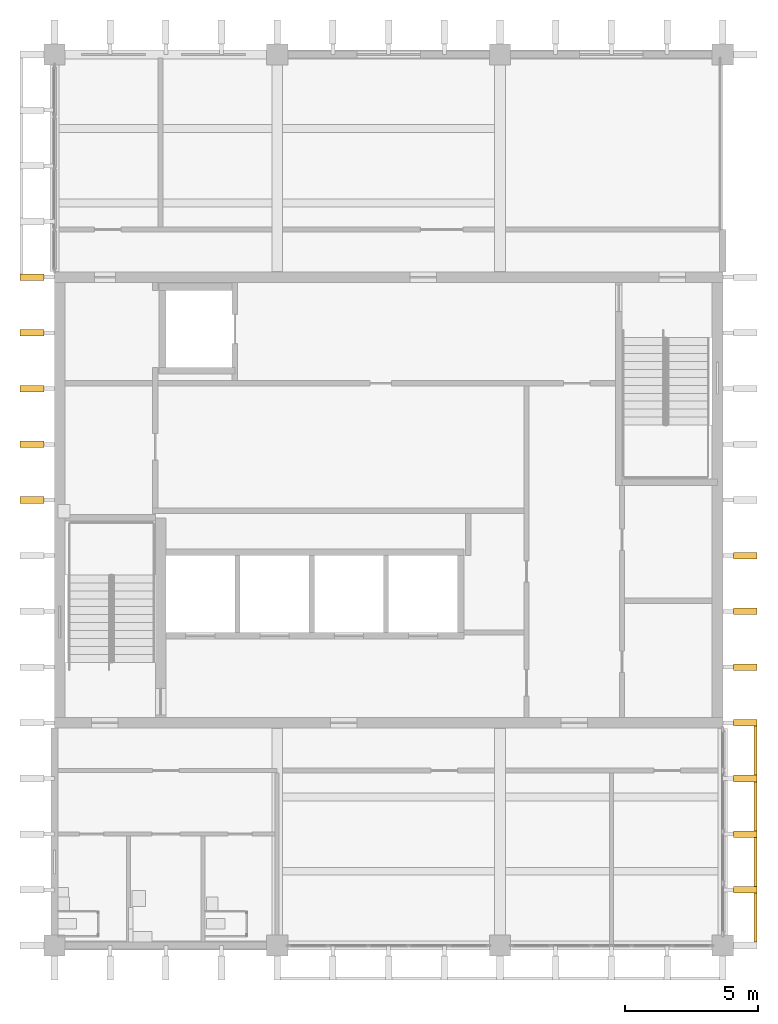
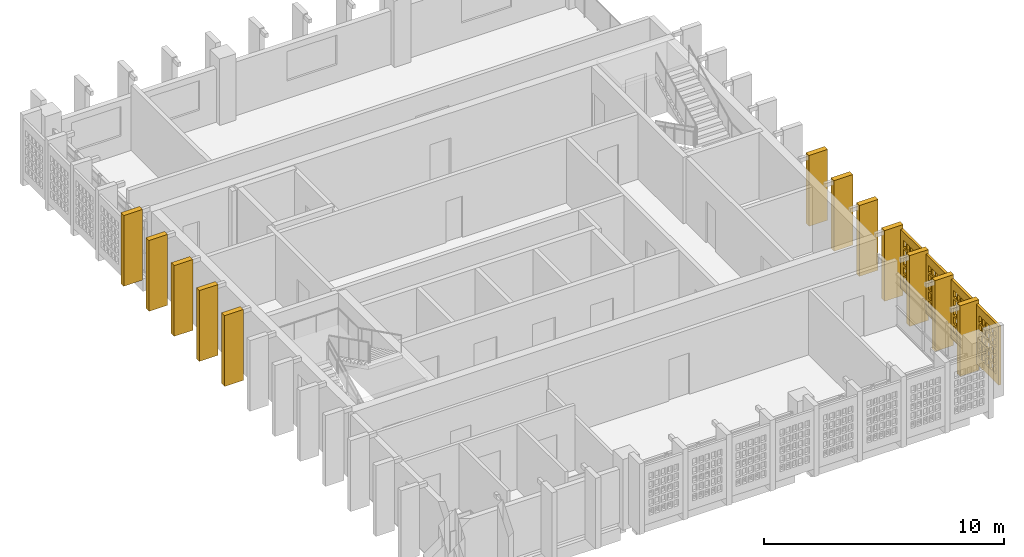
# One storey, part 10 of 13: 16 shading devices, 4 openings.
"""IFC4 building model written with IfcOpenShell, lengths in metres."""

from ifc_helpers import new_model, si_unit, direction, frame, origin, origin_2d, place, context, subcontext, project, spatial, rectangle, extrude, material, layer, layer_set, material_profile, profile_set, type_object, element, save


model = new_model("IFC4")

# Units and contexts
model_context = context("Model", 3, precision=1e-05, world=origin(), true_north=direction((0.0, 1.0)))
body_context = subcontext(model_context, "Body", "Model", "MODEL_VIEW")
ifc_project = project(units=[si_unit("LENGTHUNIT", "METRE"), si_unit("AREAUNIT", "SQUARE_METRE"), si_unit("VOLUMEUNIT", "CUBIC_METRE"), si_unit("PLANEANGLEUNIT", "RADIAN"), si_unit("MASSUNIT", "GRAM", prefix="KILO")], contexts=[model_context])

# Site, building, storey
site_placement = place(None, origin())
site = spatial("IfcSite", under=ifc_project, at=site_placement, CompositionType="ELEMENT")
building_placement = place(site_placement, origin())
building = spatial("IfcBuilding", under=site, at=building_placement, Name="Rulbaag Community and Learning Centre", CompositionType="ELEMENT")
storey_placement = place(building_placement, frame((0.0, 0.0, 39.60009765625)))
storey = spatial("IfcBuildingStorey", under=building, at=storey_placement, Name="L10", CompositionType="ELEMENT", Elevation=39.60009765625)

# Shading devices
ifc_material = material(Name="Concrete M40", Category="concrete")
ifc_material_profile = material_profile(ifc_material, rectangle(XDim=0.25, YDim=0.89990234375, at=origin_2d()), Name="PC 250x900")
ifc_profile_set = profile_set([ifc_material_profile], Name="Concrete M40")
shading_device_type_1 = type_object("IfcShadingDeviceType", Name="FIN-H", PredefinedType="JALOUSIE", material=ifc_profile_set)
for number, where, z_axis, x_axis, name in (
    (1, (141.949951171875, 100.800048828125, 0.0), (0.0, 0.0, 1.0), (0.0, 1.0, 0.0), "Precast fin"),
    (2, (141.949951171875, 102.89990234375, 0.0), (0.0, 0.0, 1.0), (0.0, 1.0, 0.0), "Precast fin"),
    (3, (141.949951171875, 105.0, 0.0), (0.0, 0.0, 1.0), (0.0, 1.0, 0.0), "Precast fin"),
    (4, (141.949951171875, 107.10009765625, 0.0), (0.0, 0.0, 1.0), (0.0, 1.0, 0.0), "Precast fin"),
    (5, (141.949951171875, 109.199951171875, 0.0), (0.0, 0.0, 1.0), (0.0, 1.0, 0.0), "Precast fin"),
    (6, (168.85009765625, 86.10009765625, 0.0), (0.0, 0.0, 1.0), (0.0, 1.0, 0.0), "Precast fin"),
    (7, (168.85009765625, 88.199951171875, 0.0), (0.0, 0.0, 1.0), (0.0, 1.0, 0.0), "Precast fin"),
    (8, (168.85009765625, 90.300048828125, 0.0), (0.0, 0.0, 1.0), (0.0, 1.0, 0.0), "Precast fin"),
    (9, (168.85009765625, 92.39990234375, 0.0), (0.0, 0.0, 1.0), (0.0, 1.0, 0.0), "Precast fin"),
    (10, (168.85009765625, 94.5, 0.0), (0.0, 0.0, 1.0), (0.0, 1.0, 0.0), "Precast fin"),
    (11, (168.85009765625, 96.60009765625, 0.0), (0.0, 0.0, 1.0), (0.0, 1.0, 0.0), "Precast fin"),
    (12, (168.85009765625, 98.699951171875, 0.0), (0.0, 0.0, 1.0), (0.0, 1.0, 0.0), "Precast fin"),
):
    element("IfcShadingDevice", number, at=place(storey_placement, frame(where, z_axis=z_axis, x_axis=x_axis)), inside=storey, type_object=shading_device_type_1, Name=name, PredefinedType="JALOUSIE", context=body_context, shape_type="SweptSolid", body=[
        extrude(rectangle(XDim=0.25, YDim=0.89990234375, at=origin_2d()), origin(), (0.0, 0.0, 1.0), 3.599853515625),
    ])

# Shading device, opening
ifc_layer = layer(ifc_material, 0.1201171875)
ifc_layer_set = layer_set([ifc_layer], Name="JB-83")
shading_device_type_2 = type_object("IfcShadingDeviceType", Name="JB-83", PredefinedType="SHUTTER", material=ifc_layer_set)
shading_device_1_placement = place(storey_placement, frame((169.239990234375, 85.050048828125, 0.39990234375), z_axis=(0.0, 0.0, 1.0), x_axis=(1.0, 0.0, 0.0)))
shading_device_1 = element("IfcShadingDevice", 13, at=shading_device_1_placement, inside=storey, type_object=shading_device_type_2, Name="Jaali screen", PredefinedType="SHUTTER", context=body_context, shape_type="SweptSolid", body=[
    extrude(rectangle(XDim=0.1201171875, YDim=1.85009765625, at=origin_2d()), origin(), (0.0, 0.0, 1.0), 3.0),
])
opening_1_placement = place(shading_device_1_placement, origin())
element("IfcOpeningElement", 14, at=opening_1_placement, cuts=shading_device_1, Name="Perforation JB1", PredefinedType="OPENING", context=body_context, shape_type="SweptSolid", body=[
    extrude(rectangle(XDim=0.22509765625, YDim=0.340087890625, at=origin_2d()), frame((-0.070068359375, -0.60009765625, 0.60009765625), z_axis=(1.0, 0.0, 0.0), x_axis=(0.0, 1.0, 0.0)), (0.0, 0.0, 1.0), 0.139892578125),
    extrude(rectangle(XDim=0.22509765625, YDim=0.340087890625, at=origin_2d()), frame((-0.070068359375, -0.300048828125, 0.60009765625), z_axis=(1.0, 0.0, 0.0), x_axis=(0.0, 1.0, 0.0)), (0.0, 0.0, 1.0), 0.139892578125),
    extrude(rectangle(XDim=0.22509765625, YDim=0.340087890625, at=origin_2d()), frame((-0.070068359375, 0.0, 0.60009765625), z_axis=(1.0, 0.0, 0.0), x_axis=(0.0, 1.0, 0.0)), (0.0, 0.0, 1.0), 0.139892578125),
    extrude(rectangle(XDim=0.22509765625, YDim=0.340087890625, at=origin_2d()), frame((-0.070068359375, 0.300048828125, 0.60009765625), z_axis=(1.0, 0.0, 0.0), x_axis=(0.0, 1.0, 0.0)), (0.0, 0.0, 1.0), 0.139892578125),
    extrude(rectangle(XDim=0.22509765625, YDim=0.340087890625, at=origin_2d()), frame((-0.070068359375, 0.60009765625, 0.60009765625), z_axis=(1.0, 0.0, 0.0), x_axis=(0.0, 1.0, 0.0)), (0.0, 0.0, 1.0), 0.139892578125),
    extrude(rectangle(XDim=0.22509765625, YDim=0.340087890625, at=origin_2d()), frame((-0.070068359375, -0.60009765625, 1.050048828125), z_axis=(1.0, 0.0, 0.0), x_axis=(0.0, 1.0, 0.0)), (0.0, 0.0, 1.0), 0.139892578125),
    extrude(rectangle(XDim=0.22509765625, YDim=0.340087890625, at=origin_2d()), frame((-0.070068359375, -0.300048828125, 1.050048828125), z_axis=(1.0, 0.0, 0.0), x_axis=(0.0, 1.0, 0.0)), (0.0, 0.0, 1.0), 0.139892578125),
    extrude(rectangle(XDim=0.22509765625, YDim=0.340087890625, at=origin_2d()), frame((-0.070068359375, 0.0, 1.050048828125), z_axis=(1.0, 0.0, 0.0), x_axis=(0.0, 1.0, 0.0)), (0.0, 0.0, 1.0), 0.139892578125),
    extrude(rectangle(XDim=0.22509765625, YDim=0.340087890625, at=origin_2d()), frame((-0.070068359375, 0.300048828125, 1.050048828125), z_axis=(1.0, 0.0, 0.0), x_axis=(0.0, 1.0, 0.0)), (0.0, 0.0, 1.0), 0.139892578125),
    extrude(rectangle(XDim=0.22509765625, YDim=0.340087890625, at=origin_2d()), frame((-0.070068359375, 0.60009765625, 1.050048828125), z_axis=(1.0, 0.0, 0.0), x_axis=(0.0, 1.0, 0.0)), (0.0, 0.0, 1.0), 0.139892578125),
    extrude(rectangle(XDim=0.22509765625, YDim=0.340087890625, at=origin_2d()), frame((-0.070068359375, -0.60009765625, 1.5), z_axis=(1.0, 0.0, 0.0), x_axis=(0.0, 1.0, 0.0)), (0.0, 0.0, 1.0), 0.139892578125),
    extrude(rectangle(XDim=0.22509765625, YDim=0.340087890625, at=origin_2d()), frame((-0.070068359375, -0.300048828125, 1.5), z_axis=(1.0, 0.0, 0.0), x_axis=(0.0, 1.0, 0.0)), (0.0, 0.0, 1.0), 0.139892578125),
    extrude(rectangle(XDim=0.22509765625, YDim=0.340087890625, at=origin_2d()), frame((-0.070068359375, 0.0, 1.5), z_axis=(1.0, 0.0, 0.0), x_axis=(0.0, 1.0, 0.0)), (0.0, 0.0, 1.0), 0.139892578125),
    extrude(rectangle(XDim=0.22509765625, YDim=0.340087890625, at=origin_2d()), frame((-0.070068359375, 0.300048828125, 1.5), z_axis=(1.0, 0.0, 0.0), x_axis=(0.0, 1.0, 0.0)), (0.0, 0.0, 1.0), 0.139892578125),
    extrude(rectangle(XDim=0.22509765625, YDim=0.340087890625, at=origin_2d()), frame((-0.070068359375, 0.60009765625, 1.5), z_axis=(1.0, 0.0, 0.0), x_axis=(0.0, 1.0, 0.0)), (0.0, 0.0, 1.0), 0.139892578125),
    extrude(rectangle(XDim=0.22509765625, YDim=0.340087890625, at=origin_2d()), frame((-0.070068359375, -0.60009765625, 1.949951171875), z_axis=(1.0, 0.0, 0.0), x_axis=(0.0, 1.0, 0.0)), (0.0, 0.0, 1.0), 0.139892578125),
    extrude(rectangle(XDim=0.22509765625, YDim=0.340087890625, at=origin_2d()), frame((-0.070068359375, -0.300048828125, 1.949951171875), z_axis=(1.0, 0.0, 0.0), x_axis=(0.0, 1.0, 0.0)), (0.0, 0.0, 1.0), 0.139892578125),
    extrude(rectangle(XDim=0.22509765625, YDim=0.340087890625, at=origin_2d()), frame((-0.070068359375, 0.0, 1.949951171875), z_axis=(1.0, 0.0, 0.0), x_axis=(0.0, 1.0, 0.0)), (0.0, 0.0, 1.0), 0.139892578125),
    extrude(rectangle(XDim=0.22509765625, YDim=0.340087890625, at=origin_2d()), frame((-0.070068359375, 0.300048828125, 1.949951171875), z_axis=(1.0, 0.0, 0.0), x_axis=(0.0, 1.0, 0.0)), (0.0, 0.0, 1.0), 0.139892578125),
    extrude(rectangle(XDim=0.22509765625, YDim=0.340087890625, at=origin_2d()), frame((-0.070068359375, 0.60009765625, 1.949951171875), z_axis=(1.0, 0.0, 0.0), x_axis=(0.0, 1.0, 0.0)), (0.0, 0.0, 1.0), 0.139892578125),
    extrude(rectangle(XDim=0.22509765625, YDim=0.340087890625, at=origin_2d()), frame((-0.070068359375, -0.60009765625, 2.39990234375), z_axis=(1.0, 0.0, 0.0), x_axis=(0.0, 1.0, 0.0)), (0.0, 0.0, 1.0), 0.139892578125),
    extrude(rectangle(XDim=0.22509765625, YDim=0.340087890625, at=origin_2d()), frame((-0.070068359375, -0.300048828125, 2.39990234375), z_axis=(1.0, 0.0, 0.0), x_axis=(0.0, 1.0, 0.0)), (0.0, 0.0, 1.0), 0.139892578125),
    extrude(rectangle(XDim=0.22509765625, YDim=0.340087890625, at=origin_2d()), frame((-0.070068359375, 0.0, 2.39990234375), z_axis=(1.0, 0.0, 0.0), x_axis=(0.0, 1.0, 0.0)), (0.0, 0.0, 1.0), 0.139892578125),
    extrude(rectangle(XDim=0.22509765625, YDim=0.340087890625, at=origin_2d()), frame((-0.070068359375, 0.300048828125, 2.39990234375), z_axis=(1.0, 0.0, 0.0), x_axis=(0.0, 1.0, 0.0)), (0.0, 0.0, 1.0), 0.139892578125),
    extrude(rectangle(XDim=0.22509765625, YDim=0.340087890625, at=origin_2d()), frame((-0.070068359375, 0.60009765625, 2.39990234375), z_axis=(1.0, 0.0, 0.0), x_axis=(0.0, 1.0, 0.0)), (0.0, 0.0, 1.0), 0.139892578125),
])

shading_device_2_placement = place(storey_placement, frame((169.239990234375, 87.14990234375, 0.39990234375), z_axis=(0.0, 0.0, 1.0), x_axis=(1.0, 0.0, 0.0)))
shading_device_2 = element("IfcShadingDevice", 15, at=shading_device_2_placement, inside=storey, type_object=shading_device_type_2, Name="Jaali screen", PredefinedType="SHUTTER", context=body_context, shape_type="SweptSolid", body=[
    extrude(rectangle(XDim=0.1201171875, YDim=1.85009765625, at=origin_2d()), origin(), (0.0, 0.0, 1.0), 3.0),
])
opening_2_placement = place(shading_device_2_placement, origin())
element("IfcOpeningElement", 16, at=opening_2_placement, cuts=shading_device_2, Name="Perforation JB1", PredefinedType="OPENING", context=body_context, shape_type="SweptSolid", body=[
    extrude(rectangle(XDim=0.22509765625, YDim=0.340087890625, at=origin_2d()), frame((-0.070068359375, -0.60009765625, 0.60009765625), z_axis=(1.0, 0.0, 0.0), x_axis=(0.0, 1.0, 0.0)), (0.0, 0.0, 1.0), 0.139892578125),
    extrude(rectangle(XDim=0.22509765625, YDim=0.340087890625, at=origin_2d()), frame((-0.070068359375, -0.300048828125, 0.60009765625), z_axis=(1.0, 0.0, 0.0), x_axis=(0.0, 1.0, 0.0)), (0.0, 0.0, 1.0), 0.139892578125),
    extrude(rectangle(XDim=0.22509765625, YDim=0.340087890625, at=origin_2d()), frame((-0.070068359375, 0.0, 0.60009765625), z_axis=(1.0, 0.0, 0.0), x_axis=(0.0, 1.0, 0.0)), (0.0, 0.0, 1.0), 0.139892578125),
    extrude(rectangle(XDim=0.22509765625, YDim=0.340087890625, at=origin_2d()), frame((-0.070068359375, 0.300048828125, 0.60009765625), z_axis=(1.0, 0.0, 0.0), x_axis=(0.0, 1.0, 0.0)), (0.0, 0.0, 1.0), 0.139892578125),
    extrude(rectangle(XDim=0.22509765625, YDim=0.340087890625, at=origin_2d()), frame((-0.070068359375, 0.60009765625, 0.60009765625), z_axis=(1.0, 0.0, 0.0), x_axis=(0.0, 1.0, 0.0)), (0.0, 0.0, 1.0), 0.139892578125),
    extrude(rectangle(XDim=0.22509765625, YDim=0.340087890625, at=origin_2d()), frame((-0.070068359375, -0.60009765625, 1.050048828125), z_axis=(1.0, 0.0, 0.0), x_axis=(0.0, 1.0, 0.0)), (0.0, 0.0, 1.0), 0.139892578125),
    extrude(rectangle(XDim=0.22509765625, YDim=0.340087890625, at=origin_2d()), frame((-0.070068359375, -0.300048828125, 1.050048828125), z_axis=(1.0, 0.0, 0.0), x_axis=(0.0, 1.0, 0.0)), (0.0, 0.0, 1.0), 0.139892578125),
    extrude(rectangle(XDim=0.22509765625, YDim=0.340087890625, at=origin_2d()), frame((-0.070068359375, 0.0, 1.050048828125), z_axis=(1.0, 0.0, 0.0), x_axis=(0.0, 1.0, 0.0)), (0.0, 0.0, 1.0), 0.139892578125),
    extrude(rectangle(XDim=0.22509765625, YDim=0.340087890625, at=origin_2d()), frame((-0.070068359375, 0.300048828125, 1.050048828125), z_axis=(1.0, 0.0, 0.0), x_axis=(0.0, 1.0, 0.0)), (0.0, 0.0, 1.0), 0.139892578125),
    extrude(rectangle(XDim=0.22509765625, YDim=0.340087890625, at=origin_2d()), frame((-0.070068359375, 0.60009765625, 1.050048828125), z_axis=(1.0, 0.0, 0.0), x_axis=(0.0, 1.0, 0.0)), (0.0, 0.0, 1.0), 0.139892578125),
    extrude(rectangle(XDim=0.22509765625, YDim=0.340087890625, at=origin_2d()), frame((-0.070068359375, -0.60009765625, 1.5), z_axis=(1.0, 0.0, 0.0), x_axis=(0.0, 1.0, 0.0)), (0.0, 0.0, 1.0), 0.139892578125),
    extrude(rectangle(XDim=0.22509765625, YDim=0.340087890625, at=origin_2d()), frame((-0.070068359375, -0.300048828125, 1.5), z_axis=(1.0, 0.0, 0.0), x_axis=(0.0, 1.0, 0.0)), (0.0, 0.0, 1.0), 0.139892578125),
    extrude(rectangle(XDim=0.22509765625, YDim=0.340087890625, at=origin_2d()), frame((-0.070068359375, 0.0, 1.5), z_axis=(1.0, 0.0, 0.0), x_axis=(0.0, 1.0, 0.0)), (0.0, 0.0, 1.0), 0.139892578125),
    extrude(rectangle(XDim=0.22509765625, YDim=0.340087890625, at=origin_2d()), frame((-0.070068359375, 0.300048828125, 1.5), z_axis=(1.0, 0.0, 0.0), x_axis=(0.0, 1.0, 0.0)), (0.0, 0.0, 1.0), 0.139892578125),
    extrude(rectangle(XDim=0.22509765625, YDim=0.340087890625, at=origin_2d()), frame((-0.070068359375, 0.60009765625, 1.5), z_axis=(1.0, 0.0, 0.0), x_axis=(0.0, 1.0, 0.0)), (0.0, 0.0, 1.0), 0.139892578125),
    extrude(rectangle(XDim=0.22509765625, YDim=0.340087890625, at=origin_2d()), frame((-0.070068359375, -0.60009765625, 1.949951171875), z_axis=(1.0, 0.0, 0.0), x_axis=(0.0, 1.0, 0.0)), (0.0, 0.0, 1.0), 0.139892578125),
    extrude(rectangle(XDim=0.22509765625, YDim=0.340087890625, at=origin_2d()), frame((-0.070068359375, -0.300048828125, 1.949951171875), z_axis=(1.0, 0.0, 0.0), x_axis=(0.0, 1.0, 0.0)), (0.0, 0.0, 1.0), 0.139892578125),
    extrude(rectangle(XDim=0.22509765625, YDim=0.340087890625, at=origin_2d()), frame((-0.070068359375, 0.0, 1.949951171875), z_axis=(1.0, 0.0, 0.0), x_axis=(0.0, 1.0, 0.0)), (0.0, 0.0, 1.0), 0.139892578125),
    extrude(rectangle(XDim=0.22509765625, YDim=0.340087890625, at=origin_2d()), frame((-0.070068359375, 0.300048828125, 1.949951171875), z_axis=(1.0, 0.0, 0.0), x_axis=(0.0, 1.0, 0.0)), (0.0, 0.0, 1.0), 0.139892578125),
    extrude(rectangle(XDim=0.22509765625, YDim=0.340087890625, at=origin_2d()), frame((-0.070068359375, 0.60009765625, 1.949951171875), z_axis=(1.0, 0.0, 0.0), x_axis=(0.0, 1.0, 0.0)), (0.0, 0.0, 1.0), 0.139892578125),
    extrude(rectangle(XDim=0.22509765625, YDim=0.340087890625, at=origin_2d()), frame((-0.070068359375, -0.60009765625, 2.39990234375), z_axis=(1.0, 0.0, 0.0), x_axis=(0.0, 1.0, 0.0)), (0.0, 0.0, 1.0), 0.139892578125),
    extrude(rectangle(XDim=0.22509765625, YDim=0.340087890625, at=origin_2d()), frame((-0.070068359375, -0.300048828125, 2.39990234375), z_axis=(1.0, 0.0, 0.0), x_axis=(0.0, 1.0, 0.0)), (0.0, 0.0, 1.0), 0.139892578125),
    extrude(rectangle(XDim=0.22509765625, YDim=0.340087890625, at=origin_2d()), frame((-0.070068359375, 0.0, 2.39990234375), z_axis=(1.0, 0.0, 0.0), x_axis=(0.0, 1.0, 0.0)), (0.0, 0.0, 1.0), 0.139892578125),
    extrude(rectangle(XDim=0.22509765625, YDim=0.340087890625, at=origin_2d()), frame((-0.070068359375, 0.300048828125, 2.39990234375), z_axis=(1.0, 0.0, 0.0), x_axis=(0.0, 1.0, 0.0)), (0.0, 0.0, 1.0), 0.139892578125),
    extrude(rectangle(XDim=0.22509765625, YDim=0.340087890625, at=origin_2d()), frame((-0.070068359375, 0.60009765625, 2.39990234375), z_axis=(1.0, 0.0, 0.0), x_axis=(0.0, 1.0, 0.0)), (0.0, 0.0, 1.0), 0.139892578125),
])

shading_device_3_placement = place(storey_placement, frame((169.239990234375, 89.25, 0.39990234375), z_axis=(0.0, 0.0, 1.0), x_axis=(1.0, 0.0, 0.0)))
shading_device_3 = element("IfcShadingDevice", 17, at=shading_device_3_placement, inside=storey, type_object=shading_device_type_2, Name="Jaali screen", PredefinedType="SHUTTER", context=body_context, shape_type="SweptSolid", body=[
    extrude(rectangle(XDim=0.1201171875, YDim=1.85009765625, at=origin_2d()), origin(), (0.0, 0.0, 1.0), 3.0),
])
opening_3_placement = place(shading_device_3_placement, origin())
element("IfcOpeningElement", 18, at=opening_3_placement, cuts=shading_device_3, Name="Perforation JB1", PredefinedType="OPENING", context=body_context, shape_type="SweptSolid", body=[
    extrude(rectangle(XDim=0.22509765625, YDim=0.340087890625, at=origin_2d()), frame((-0.070068359375, -0.60009765625, 0.60009765625), z_axis=(1.0, 0.0, 0.0), x_axis=(0.0, 1.0, 0.0)), (0.0, 0.0, 1.0), 0.139892578125),
    extrude(rectangle(XDim=0.22509765625, YDim=0.340087890625, at=origin_2d()), frame((-0.070068359375, -0.300048828125, 0.60009765625), z_axis=(1.0, 0.0, 0.0), x_axis=(0.0, 1.0, 0.0)), (0.0, 0.0, 1.0), 0.139892578125),
    extrude(rectangle(XDim=0.22509765625, YDim=0.340087890625, at=origin_2d()), frame((-0.070068359375, 0.0, 0.60009765625), z_axis=(1.0, 0.0, 0.0), x_axis=(0.0, 1.0, 0.0)), (0.0, 0.0, 1.0), 0.139892578125),
    extrude(rectangle(XDim=0.22509765625, YDim=0.340087890625, at=origin_2d()), frame((-0.070068359375, 0.300048828125, 0.60009765625), z_axis=(1.0, 0.0, 0.0), x_axis=(0.0, 1.0, 0.0)), (0.0, 0.0, 1.0), 0.139892578125),
    extrude(rectangle(XDim=0.22509765625, YDim=0.340087890625, at=origin_2d()), frame((-0.070068359375, 0.60009765625, 0.60009765625), z_axis=(1.0, 0.0, 0.0), x_axis=(0.0, 1.0, 0.0)), (0.0, 0.0, 1.0), 0.139892578125),
    extrude(rectangle(XDim=0.22509765625, YDim=0.340087890625, at=origin_2d()), frame((-0.070068359375, -0.60009765625, 1.050048828125), z_axis=(1.0, 0.0, 0.0), x_axis=(0.0, 1.0, 0.0)), (0.0, 0.0, 1.0), 0.139892578125),
    extrude(rectangle(XDim=0.22509765625, YDim=0.340087890625, at=origin_2d()), frame((-0.070068359375, -0.300048828125, 1.050048828125), z_axis=(1.0, 0.0, 0.0), x_axis=(0.0, 1.0, 0.0)), (0.0, 0.0, 1.0), 0.139892578125),
    extrude(rectangle(XDim=0.22509765625, YDim=0.340087890625, at=origin_2d()), frame((-0.070068359375, 0.0, 1.050048828125), z_axis=(1.0, 0.0, 0.0), x_axis=(0.0, 1.0, 0.0)), (0.0, 0.0, 1.0), 0.139892578125),
    extrude(rectangle(XDim=0.22509765625, YDim=0.340087890625, at=origin_2d()), frame((-0.070068359375, 0.300048828125, 1.050048828125), z_axis=(1.0, 0.0, 0.0), x_axis=(0.0, 1.0, 0.0)), (0.0, 0.0, 1.0), 0.139892578125),
    extrude(rectangle(XDim=0.22509765625, YDim=0.340087890625, at=origin_2d()), frame((-0.070068359375, 0.60009765625, 1.050048828125), z_axis=(1.0, 0.0, 0.0), x_axis=(0.0, 1.0, 0.0)), (0.0, 0.0, 1.0), 0.139892578125),
    extrude(rectangle(XDim=0.22509765625, YDim=0.340087890625, at=origin_2d()), frame((-0.070068359375, -0.60009765625, 1.5), z_axis=(1.0, 0.0, 0.0), x_axis=(0.0, 1.0, 0.0)), (0.0, 0.0, 1.0), 0.139892578125),
    extrude(rectangle(XDim=0.22509765625, YDim=0.340087890625, at=origin_2d()), frame((-0.070068359375, -0.300048828125, 1.5), z_axis=(1.0, 0.0, 0.0), x_axis=(0.0, 1.0, 0.0)), (0.0, 0.0, 1.0), 0.139892578125),
    extrude(rectangle(XDim=0.22509765625, YDim=0.340087890625, at=origin_2d()), frame((-0.070068359375, 0.0, 1.5), z_axis=(1.0, 0.0, 0.0), x_axis=(0.0, 1.0, 0.0)), (0.0, 0.0, 1.0), 0.139892578125),
    extrude(rectangle(XDim=0.22509765625, YDim=0.340087890625, at=origin_2d()), frame((-0.070068359375, 0.300048828125, 1.5), z_axis=(1.0, 0.0, 0.0), x_axis=(0.0, 1.0, 0.0)), (0.0, 0.0, 1.0), 0.139892578125),
    extrude(rectangle(XDim=0.22509765625, YDim=0.340087890625, at=origin_2d()), frame((-0.070068359375, 0.60009765625, 1.5), z_axis=(1.0, 0.0, 0.0), x_axis=(0.0, 1.0, 0.0)), (0.0, 0.0, 1.0), 0.139892578125),
    extrude(rectangle(XDim=0.22509765625, YDim=0.340087890625, at=origin_2d()), frame((-0.070068359375, -0.60009765625, 1.949951171875), z_axis=(1.0, 0.0, 0.0), x_axis=(0.0, 1.0, 0.0)), (0.0, 0.0, 1.0), 0.139892578125),
    extrude(rectangle(XDim=0.22509765625, YDim=0.340087890625, at=origin_2d()), frame((-0.070068359375, -0.300048828125, 1.949951171875), z_axis=(1.0, 0.0, 0.0), x_axis=(0.0, 1.0, 0.0)), (0.0, 0.0, 1.0), 0.139892578125),
    extrude(rectangle(XDim=0.22509765625, YDim=0.340087890625, at=origin_2d()), frame((-0.070068359375, 0.0, 1.949951171875), z_axis=(1.0, 0.0, 0.0), x_axis=(0.0, 1.0, 0.0)), (0.0, 0.0, 1.0), 0.139892578125),
    extrude(rectangle(XDim=0.22509765625, YDim=0.340087890625, at=origin_2d()), frame((-0.070068359375, 0.300048828125, 1.949951171875), z_axis=(1.0, 0.0, 0.0), x_axis=(0.0, 1.0, 0.0)), (0.0, 0.0, 1.0), 0.139892578125),
    extrude(rectangle(XDim=0.22509765625, YDim=0.340087890625, at=origin_2d()), frame((-0.070068359375, 0.60009765625, 1.949951171875), z_axis=(1.0, 0.0, 0.0), x_axis=(0.0, 1.0, 0.0)), (0.0, 0.0, 1.0), 0.139892578125),
    extrude(rectangle(XDim=0.22509765625, YDim=0.340087890625, at=origin_2d()), frame((-0.070068359375, -0.60009765625, 2.39990234375), z_axis=(1.0, 0.0, 0.0), x_axis=(0.0, 1.0, 0.0)), (0.0, 0.0, 1.0), 0.139892578125),
    extrude(rectangle(XDim=0.22509765625, YDim=0.340087890625, at=origin_2d()), frame((-0.070068359375, -0.300048828125, 2.39990234375), z_axis=(1.0, 0.0, 0.0), x_axis=(0.0, 1.0, 0.0)), (0.0, 0.0, 1.0), 0.139892578125),
    extrude(rectangle(XDim=0.22509765625, YDim=0.340087890625, at=origin_2d()), frame((-0.070068359375, 0.0, 2.39990234375), z_axis=(1.0, 0.0, 0.0), x_axis=(0.0, 1.0, 0.0)), (0.0, 0.0, 1.0), 0.139892578125),
    extrude(rectangle(XDim=0.22509765625, YDim=0.340087890625, at=origin_2d()), frame((-0.070068359375, 0.300048828125, 2.39990234375), z_axis=(1.0, 0.0, 0.0), x_axis=(0.0, 1.0, 0.0)), (0.0, 0.0, 1.0), 0.139892578125),
    extrude(rectangle(XDim=0.22509765625, YDim=0.340087890625, at=origin_2d()), frame((-0.070068359375, 0.60009765625, 2.39990234375), z_axis=(1.0, 0.0, 0.0), x_axis=(0.0, 1.0, 0.0)), (0.0, 0.0, 1.0), 0.139892578125),
])

shading_device_4_placement = place(storey_placement, frame((169.239990234375, 91.35009765625, 0.39990234375), z_axis=(0.0, 0.0, 1.0), x_axis=(1.0, 0.0, 0.0)))
shading_device_4 = element("IfcShadingDevice", 19, at=shading_device_4_placement, inside=storey, type_object=shading_device_type_2, Name="Jaali screen", PredefinedType="SHUTTER", context=body_context, shape_type="SweptSolid", body=[
    extrude(rectangle(XDim=0.1201171875, YDim=1.85009765625, at=origin_2d()), origin(), (0.0, 0.0, 1.0), 3.0),
])
opening_4_placement = place(shading_device_4_placement, origin())
element("IfcOpeningElement", 20, at=opening_4_placement, cuts=shading_device_4, Name="Perforation JB1", PredefinedType="OPENING", context=body_context, shape_type="SweptSolid", body=[
    extrude(rectangle(XDim=0.22509765625, YDim=0.340087890625, at=origin_2d()), frame((-0.070068359375, -0.60009765625, 0.60009765625), z_axis=(1.0, 0.0, 0.0), x_axis=(0.0, 1.0, 0.0)), (0.0, 0.0, 1.0), 0.139892578125),
    extrude(rectangle(XDim=0.22509765625, YDim=0.340087890625, at=origin_2d()), frame((-0.070068359375, -0.300048828125, 0.60009765625), z_axis=(1.0, 0.0, 0.0), x_axis=(0.0, 1.0, 0.0)), (0.0, 0.0, 1.0), 0.139892578125),
    extrude(rectangle(XDim=0.22509765625, YDim=0.340087890625, at=origin_2d()), frame((-0.070068359375, 0.0, 0.60009765625), z_axis=(1.0, 0.0, 0.0), x_axis=(0.0, 1.0, 0.0)), (0.0, 0.0, 1.0), 0.139892578125),
    extrude(rectangle(XDim=0.22509765625, YDim=0.340087890625, at=origin_2d()), frame((-0.070068359375, 0.300048828125, 0.60009765625), z_axis=(1.0, 0.0, 0.0), x_axis=(0.0, 1.0, 0.0)), (0.0, 0.0, 1.0), 0.139892578125),
    extrude(rectangle(XDim=0.22509765625, YDim=0.340087890625, at=origin_2d()), frame((-0.070068359375, 0.60009765625, 0.60009765625), z_axis=(1.0, 0.0, 0.0), x_axis=(0.0, 1.0, 0.0)), (0.0, 0.0, 1.0), 0.139892578125),
    extrude(rectangle(XDim=0.22509765625, YDim=0.340087890625, at=origin_2d()), frame((-0.070068359375, -0.60009765625, 1.050048828125), z_axis=(1.0, 0.0, 0.0), x_axis=(0.0, 1.0, 0.0)), (0.0, 0.0, 1.0), 0.139892578125),
    extrude(rectangle(XDim=0.22509765625, YDim=0.340087890625, at=origin_2d()), frame((-0.070068359375, -0.300048828125, 1.050048828125), z_axis=(1.0, 0.0, 0.0), x_axis=(0.0, 1.0, 0.0)), (0.0, 0.0, 1.0), 0.139892578125),
    extrude(rectangle(XDim=0.22509765625, YDim=0.340087890625, at=origin_2d()), frame((-0.070068359375, 0.0, 1.050048828125), z_axis=(1.0, 0.0, 0.0), x_axis=(0.0, 1.0, 0.0)), (0.0, 0.0, 1.0), 0.139892578125),
    extrude(rectangle(XDim=0.22509765625, YDim=0.340087890625, at=origin_2d()), frame((-0.070068359375, 0.300048828125, 1.050048828125), z_axis=(1.0, 0.0, 0.0), x_axis=(0.0, 1.0, 0.0)), (0.0, 0.0, 1.0), 0.139892578125),
    extrude(rectangle(XDim=0.22509765625, YDim=0.340087890625, at=origin_2d()), frame((-0.070068359375, 0.60009765625, 1.050048828125), z_axis=(1.0, 0.0, 0.0), x_axis=(0.0, 1.0, 0.0)), (0.0, 0.0, 1.0), 0.139892578125),
    extrude(rectangle(XDim=0.22509765625, YDim=0.340087890625, at=origin_2d()), frame((-0.070068359375, -0.60009765625, 1.5), z_axis=(1.0, 0.0, 0.0), x_axis=(0.0, 1.0, 0.0)), (0.0, 0.0, 1.0), 0.139892578125),
    extrude(rectangle(XDim=0.22509765625, YDim=0.340087890625, at=origin_2d()), frame((-0.070068359375, -0.300048828125, 1.5), z_axis=(1.0, 0.0, 0.0), x_axis=(0.0, 1.0, 0.0)), (0.0, 0.0, 1.0), 0.139892578125),
    extrude(rectangle(XDim=0.22509765625, YDim=0.340087890625, at=origin_2d()), frame((-0.070068359375, 0.0, 1.5), z_axis=(1.0, 0.0, 0.0), x_axis=(0.0, 1.0, 0.0)), (0.0, 0.0, 1.0), 0.139892578125),
    extrude(rectangle(XDim=0.22509765625, YDim=0.340087890625, at=origin_2d()), frame((-0.070068359375, 0.300048828125, 1.5), z_axis=(1.0, 0.0, 0.0), x_axis=(0.0, 1.0, 0.0)), (0.0, 0.0, 1.0), 0.139892578125),
    extrude(rectangle(XDim=0.22509765625, YDim=0.340087890625, at=origin_2d()), frame((-0.070068359375, 0.60009765625, 1.5), z_axis=(1.0, 0.0, 0.0), x_axis=(0.0, 1.0, 0.0)), (0.0, 0.0, 1.0), 0.139892578125),
    extrude(rectangle(XDim=0.22509765625, YDim=0.340087890625, at=origin_2d()), frame((-0.070068359375, -0.60009765625, 1.949951171875), z_axis=(1.0, 0.0, 0.0), x_axis=(0.0, 1.0, 0.0)), (0.0, 0.0, 1.0), 0.139892578125),
    extrude(rectangle(XDim=0.22509765625, YDim=0.340087890625, at=origin_2d()), frame((-0.070068359375, -0.300048828125, 1.949951171875), z_axis=(1.0, 0.0, 0.0), x_axis=(0.0, 1.0, 0.0)), (0.0, 0.0, 1.0), 0.139892578125),
    extrude(rectangle(XDim=0.22509765625, YDim=0.340087890625, at=origin_2d()), frame((-0.070068359375, 0.0, 1.949951171875), z_axis=(1.0, 0.0, 0.0), x_axis=(0.0, 1.0, 0.0)), (0.0, 0.0, 1.0), 0.139892578125),
    extrude(rectangle(XDim=0.22509765625, YDim=0.340087890625, at=origin_2d()), frame((-0.070068359375, 0.300048828125, 1.949951171875), z_axis=(1.0, 0.0, 0.0), x_axis=(0.0, 1.0, 0.0)), (0.0, 0.0, 1.0), 0.139892578125),
    extrude(rectangle(XDim=0.22509765625, YDim=0.340087890625, at=origin_2d()), frame((-0.070068359375, 0.60009765625, 1.949951171875), z_axis=(1.0, 0.0, 0.0), x_axis=(0.0, 1.0, 0.0)), (0.0, 0.0, 1.0), 0.139892578125),
    extrude(rectangle(XDim=0.22509765625, YDim=0.340087890625, at=origin_2d()), frame((-0.070068359375, -0.60009765625, 2.39990234375), z_axis=(1.0, 0.0, 0.0), x_axis=(0.0, 1.0, 0.0)), (0.0, 0.0, 1.0), 0.139892578125),
    extrude(rectangle(XDim=0.22509765625, YDim=0.340087890625, at=origin_2d()), frame((-0.070068359375, -0.300048828125, 2.39990234375), z_axis=(1.0, 0.0, 0.0), x_axis=(0.0, 1.0, 0.0)), (0.0, 0.0, 1.0), 0.139892578125),
    extrude(rectangle(XDim=0.22509765625, YDim=0.340087890625, at=origin_2d()), frame((-0.070068359375, 0.0, 2.39990234375), z_axis=(1.0, 0.0, 0.0), x_axis=(0.0, 1.0, 0.0)), (0.0, 0.0, 1.0), 0.139892578125),
    extrude(rectangle(XDim=0.22509765625, YDim=0.340087890625, at=origin_2d()), frame((-0.070068359375, 0.300048828125, 2.39990234375), z_axis=(1.0, 0.0, 0.0), x_axis=(0.0, 1.0, 0.0)), (0.0, 0.0, 1.0), 0.139892578125),
    extrude(rectangle(XDim=0.22509765625, YDim=0.340087890625, at=origin_2d()), frame((-0.070068359375, 0.60009765625, 2.39990234375), z_axis=(1.0, 0.0, 0.0), x_axis=(0.0, 1.0, 0.0)), (0.0, 0.0, 1.0), 0.139892578125),
])

save(model, "model.ifc")
